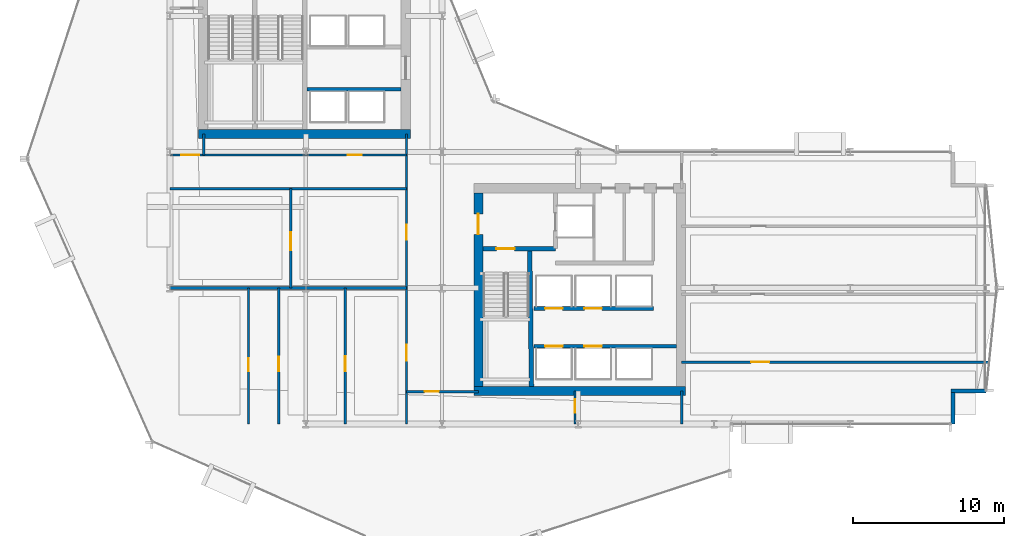
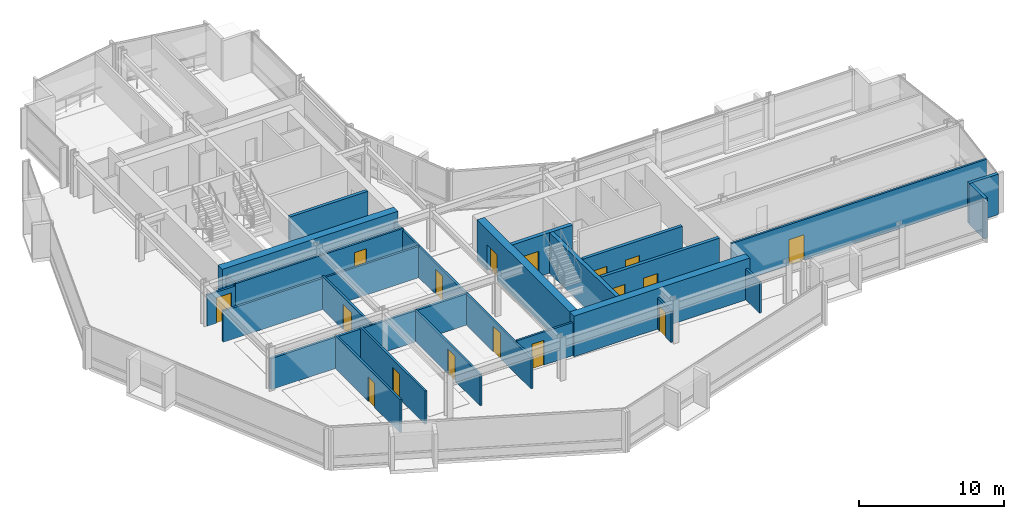
# One storey, part 27 of 34: 24 walls, 17 doors, 17 openings.
"""IFC4 building model written with IfcOpenShell, lengths in metres."""

from ifc_helpers import new_model, si_unit, direction, frame, frame_2d, origin, place, context, subcontext, project, spatial, rectangle, extrude, material, layer, layer_set, type_object, element, fill, save


model = new_model("IFC4")

# Units and contexts
model_context = context("Model", 3, precision=1e-05, world=origin(), true_north=direction((0.0, 1.0)))
body_context = subcontext(model_context, "Body", "Model", "MODEL_VIEW")
ifc_project = project(units=[si_unit("LENGTHUNIT", "METRE"), si_unit("AREAUNIT", "SQUARE_METRE"), si_unit("VOLUMEUNIT", "CUBIC_METRE"), si_unit("PLANEANGLEUNIT", "RADIAN"), si_unit("MASSUNIT", "GRAM", prefix="KILO")], contexts=[model_context])

# Site, building, storey
site_placement = place(None, origin())
site = spatial("IfcSite", under=ifc_project, at=site_placement, CompositionType="ELEMENT")
building_placement = place(site_placement, origin())
building = spatial("IfcBuilding", under=site, at=building_placement, Name="Solvaryn Broadcast Tower", CompositionType="ELEMENT")
storey_placement = place(building_placement, frame((0.0, 0.0, 50.800048828125)))
storey = spatial("IfcBuildingStorey", under=building, at=storey_placement, Name="L11", CompositionType="ELEMENT", Elevation=50.800048828125)

# Walls
ifc_material_1 = material(Name="Concrete f'c 70 MPa", Category="concrete")
ifc_layer_1 = layer(ifc_material_1, 0.60009765625)
ifc_layer_set_1 = layer_set([ifc_layer_1], Name="CW-SHEAR-600")
wall_type_1 = type_object("IfcWallType", Name="CW-SHEAR-600", PredefinedType="SHEAR", material=ifc_layer_set_1)
for number, where, z_axis, x_axis, name in (
    (1, (10.89990234375, 28.199951171875, 0.0), (0.0, 0.0, 1.0), (1.0, 0.0, 0.0), "L11 West Core South Shear Wall"),
    (2, (29.10009765625, 11.199951171875, 0.0), (0.0, 0.0, 1.0), (1.0, 0.0, 0.0), "L11 East Core South Shear Wall"),
):
    element("IfcWall", number, at=place(storey_placement, frame(where, z_axis=z_axis, x_axis=x_axis)), inside=storey, type_object=wall_type_1, Name=name, PredefinedType="SHEAR", context=body_context, shape_type="SweptSolid", body=[
        extrude(rectangle(XDim=14.0, YDim=0.60009765625, at=frame_2d((7.0, 0.0))), origin(), (0.0, 0.0, 1.0), 3.419921875),
    ])

# Wall, opening, door
wall_1_placement = place(storey_placement, frame((29.39990234375, 24.300048828125, 0.0), z_axis=(0.0, 0.0, 1.0), x_axis=(0.0, -1.0, 0.0)))
wall_1 = element("IfcWall", 3, at=wall_1_placement, inside=storey, type_object=wall_type_1, Name="L11 East Core West Shear Wall", PredefinedType="SHEAR", context=body_context, shape_type="SweptSolid", body=[
    extrude(rectangle(XDim=12.800048828125, YDim=0.60009765625, at=frame_2d((6.39990234375, 0.0))), origin(), (0.0, 0.0, 1.0), 3.419921875),
])
opening_1_placement = place(wall_1_placement, frame((1.39990234375, 0.0, 0.0)))
opening_1 = element("IfcOpeningElement", 4, at=opening_1_placement, cuts=wall_1, Name="Opening FD90B", PredefinedType="OPENING", context=body_context, shape_type="SweptSolid", body=[
    extrude(rectangle(XDim=1.35009765625, YDim=2.14990234375, at=frame_2d((0.675048828125, 1.074951171875))), frame((0.0, 0.31005859375, 0.0), z_axis=(0.0, -1.0, 0.0), x_axis=(1.0, 0.0, 0.0)), (0.0, 0.0, 1.0), 0.6201171875),
])
ifc_material_2 = material(Name="Flush Acoustic Steel and Timber Door Assembly", Category="steel")
door_type_1 = type_object("IfcDoorType", Name="FD90-LOBBY-1350X2150", OperationType="NOTDEFINED", PredefinedType="DOOR", material=ifc_material_2)
door_1_placement = place(opening_1_placement, origin())
door_1 = element("IfcDoor", 5, at=door_1_placement, inside=storey, type_object=door_type_1, Name="L11 East FSAE Lobby Door", OperationType="SINGLE_SWING_RIGHT", OverallHeight=2.14990234375, OverallWidth=1.35009765625, PredefinedType="DOOR", context=body_context, shape_type="SweptSolid", body=[
    extrude(rectangle(XDim=1.35009765625, YDim=2.14990234375, at=frame_2d((0.675048828125, 1.074951171875))), frame((0.0, 0.02490234375, 0.0), z_axis=(0.0, -1.0, 0.0), x_axis=(1.0, 0.0, 0.0)), (0.0, 0.0, 1.0), 0.050048828125),
])
fill(opening_1, door_1)

# Walls
ifc_material_3 = material(Name="Concrete f'c 50 MPa", Category="concrete")
ifc_layer_2 = layer(ifc_material_3, 0.260009765625)
ifc_layer_set_2 = layer_set([ifc_layer_2], Name="EW-PIER-260")
wall_type_2 = type_object("IfcWallType", Name="EW-PIER-260", PredefinedType="SOLIDWALL", material=ifc_layer_set_2)
wall_2_placement = place(storey_placement, frame((60.800048828125, 9.0, 0.0), z_axis=(0.0, 0.0, 1.0), x_axis=(0.0, 1.0, 0.0)))
element("IfcWall", 6, at=wall_2_placement, inside=storey, type_object=wall_type_2, Name="L11 Notched Corner Pier Wall NSE1", PredefinedType="SOLIDWALL", context=body_context, shape_type="SweptSolid", body=[
    extrude(rectangle(XDim=2.080078125, YDim=0.260009765625, at=frame_2d((1.0400390625, 0.0))), origin(), (0.0, 0.0, 1.0), 3.419921875),
])
wall_3_placement = place(storey_placement, frame((60.679931640625, 11.199951171875, 0.0), z_axis=(0.0, 0.0, 1.0), x_axis=(1.0, 0.0, 0.0)))
element("IfcWall", 7, at=wall_3_placement, inside=storey, type_object=wall_type_2, Name="L11 Notched Corner Pier Wall NSE2", PredefinedType="SOLIDWALL", context=body_context, shape_type="SweptSolid", body=[
    extrude(rectangle(XDim=2.320068359375, YDim=0.260009765625, at=frame_2d((1.16015625, 0.0))), origin(), (0.0, 0.0, 1.0), 3.419921875),
])

# Wall, opening, door
ifc_material_4 = material(Name="Metal-Stud Service Core Partition")
ifc_layer_3 = layer(ifc_material_4, 0.14990234375)
ifc_layer_set_3 = layer_set([ifc_layer_3], Name="IW-PART-150")
wall_type_3 = type_object("IfcWallType", Name="IW-PART-150", PredefinedType="PARTITIONING", material=ifc_layer_set_3)
wall_4_placement = place(storey_placement, frame((35.800048828125, 9.0, 0.0), z_axis=(0.0, 0.0, 1.0), x_axis=(0.0, 1.0, 0.0)))
wall_4 = element("IfcWall", 8, at=wall_4_placement, inside=storey, type_object=wall_type_3, Name="L11 Interior Partition IW-L11-SC-V", PredefinedType="PARTITIONING", context=body_context, shape_type="SweptSolid", body=[
    extrude(rectangle(XDim=2.199951171875, YDim=0.14990234375, at=frame_2d((1.10009765625, 0.0))), origin(), (0.0, 0.0, 1.0), 2.626953125),
])
opening_2_placement = place(wall_4_placement, frame((0.75, 0.0, 0.0)))
opening_2 = element("IfcOpeningElement", 9, at=opening_2_placement, cuts=wall_4, Name="Opening FD60C", PredefinedType="OPENING", context=body_context, shape_type="SweptSolid", body=[
    extrude(rectangle(XDim=0.89990234375, YDim=2.10009765625, at=frame_2d((0.449951171875, 1.050048828125))), frame((0.0, 0.0849609375, 0.0), z_axis=(0.0, -1.0, 0.0), x_axis=(1.0, 0.0, 0.0)), (0.0, 0.0, 1.0), 0.169921875),
])
ifc_material_5 = material(Name="Flush Acoustic Steel and Timber Door Assembly", Category="steel")
door_type_2 = type_object("IfcDoorType", Name="FD60-SERV-900X2100", OperationType="NOTDEFINED", PredefinedType="DOOR", material=ifc_material_5)
door_2_placement = place(opening_2_placement, origin())
door_2 = element("IfcDoor", 10, at=door_2_placement, inside=storey, type_object=door_type_2, Name="L11 Door DR-L11-SC1", OperationType="SINGLE_SWING_RIGHT", OverallHeight=2.10009765625, OverallWidth=0.89990234375, PredefinedType="DOOR", context=body_context, shape_type="SweptSolid", body=[
    extrude(rectangle(XDim=0.89990234375, YDim=2.10009765625, at=frame_2d((0.449951171875, 1.050048828125))), frame((0.0, 0.02490234375, 0.0), z_axis=(0.0, -1.0, 0.0), x_axis=(1.0, 0.0, 0.0)), (0.0, 0.0, 1.0), 0.050048828125),
])
fill(opening_2, door_2)

ifc_material_6 = material(Name="Metal-Stud Gypsum Office Partition")
ifc_layer_4 = layer(ifc_material_6, 0.159912109375)
ifc_layer_set_4 = layer_set([ifc_layer_4], Name="IW-PART-160")
wall_type_4 = type_object("IfcWallType", Name="IW-PART-160", PredefinedType="PARTITIONING", material=ifc_layer_set_4)
wall_5_placement = place(storey_placement, frame((9.0, 26.800048828125, 0.0), z_axis=(0.0, 0.0, 1.0), x_axis=(1.0, 0.0, 0.0)))
wall_5 = element("IfcWall", 11, at=wall_5_placement, inside=storey, type_object=wall_type_4, Name="L11 Interior Partition IW-L11-WM-S", PredefinedType="PARTITIONING", context=body_context, shape_type="SweptSolid", body=[
    extrude(rectangle(XDim=2.25, YDim=0.159912109375, at=frame_2d((1.125, 0.0))), origin(), (0.0, 0.0, 1.0), 2.626953125),
])
opening_3_placement = place(wall_5_placement, frame((0.75, 0.0, 0.0)))
opening_3 = element("IfcOpeningElement", 12, at=opening_3_placement, cuts=wall_5, Name="Opening ID04", PredefinedType="OPENING", context=body_context, shape_type="SweptSolid", body=[
    extrude(rectangle(XDim=1.199951171875, YDim=2.14990234375, at=frame_2d((0.60009765625, 1.074951171875))), frame((0.0, 0.090087890625, 0.0), z_axis=(0.0, -1.0, 0.0), x_axis=(1.0, 0.0, 0.0)), (0.0, 0.0, 1.0), 0.179931640625),
])
ifc_material_7 = material(Name="Flush Acoustic Steel and Timber Door Assembly", Category="steel")
door_type_3 = type_object("IfcDoorType", Name="ID-04-1200X2150", OperationType="NOTDEFINED", PredefinedType="DOOR", material=ifc_material_7)
door_3_placement = place(opening_3_placement, origin())
door_3 = element("IfcDoor", 13, at=door_3_placement, inside=storey, type_object=door_type_3, Name="L11 Door DR-L11-WM0", OperationType="SINGLE_SWING_LEFT", OverallHeight=2.14990234375, OverallWidth=1.199951171875, PredefinedType="DOOR", context=body_context, shape_type="SweptSolid", body=[
    extrude(rectangle(XDim=1.199951171875, YDim=2.14990234375, at=frame_2d((0.60009765625, 1.074951171875))), frame((0.0, 0.02490234375, 0.0), z_axis=(0.0, -1.0, 0.0), x_axis=(1.0, 0.0, 0.0)), (0.0, 0.0, 1.0), 0.050048828125),
])
fill(opening_3, door_3)

# Wall, openings, doors
wall_6_placement = place(storey_placement, frame((24.64990234375, 9.0, 0.0), z_axis=(0.0, 0.0, 1.0), x_axis=(0.0, 1.0, 0.0)))
wall_6 = element("IfcWall", 14, at=wall_6_placement, inside=storey, type_object=wall_type_4, Name="L11 Interior Partition IW-L11-SW-EB", PredefinedType="PARTITIONING", context=body_context, shape_type="SweptSolid", body=[
    extrude(rectangle(XDim=19.199951171875, YDim=0.159912109375, at=frame_2d((9.60009765625, 0.0))), origin(), (0.0, 0.0, 1.0), 2.626953125),
])
opening_4_placement = place(wall_6_placement, frame((12.199951171875, 0.0, 0.0)))
opening_4 = element("IfcOpeningElement", 15, at=opening_4_placement, cuts=wall_6, Name="Opening ID02", PredefinedType="OPENING", context=body_context, shape_type="SweptSolid", body=[
    extrude(rectangle(XDim=1.0, YDim=2.10009765625, at=frame_2d((0.5, 1.050048828125))), frame((0.0, 0.090087890625, 0.0), z_axis=(0.0, -1.0, 0.0), x_axis=(1.0, 0.0, 0.0)), (0.0, 0.0, 1.0), 0.179931640625),
])
opening_5_placement = place(wall_6_placement, frame((4.199951171875, 0.0, 0.0)))
opening_5 = element("IfcOpeningElement", 16, at=opening_5_placement, cuts=wall_6, Name="Opening ID03", PredefinedType="OPENING", context=body_context, shape_type="SweptSolid", body=[
    extrude(rectangle(XDim=1.050048828125, YDim=2.14990234375, at=frame_2d((0.52490234375, 1.074951171875))), frame((0.0, 0.090087890625, 0.0), z_axis=(0.0, -1.0, 0.0), x_axis=(1.0, 0.0, 0.0)), (0.0, 0.0, 1.0), 0.179931640625),
])
ifc_material_8 = material(Name="Flush Acoustic Steel and Timber Door Assembly", Category="steel")
door_type_4 = type_object("IfcDoorType", Name="ID-02-1000X2100", OperationType="NOTDEFINED", PredefinedType="DOOR", material=ifc_material_8)
door_4_placement = place(opening_4_placement, origin())
door_4 = element("IfcDoor", 17, at=door_4_placement, inside=storey, type_object=door_type_4, Name="L11 Door DR-L11-SW-EN", OperationType="SINGLE_SWING_RIGHT", OverallHeight=2.10009765625, OverallWidth=1.0, PredefinedType="DOOR", context=body_context, shape_type="SweptSolid", body=[
    extrude(rectangle(XDim=1.0, YDim=2.10009765625, at=frame_2d((0.5, 1.050048828125))), frame((0.0, 0.02490234375, 0.0), z_axis=(0.0, -1.0, 0.0), x_axis=(1.0, 0.0, 0.0)), (0.0, 0.0, 1.0), 0.050048828125),
])
fill(opening_4, door_4)
ifc_material_9 = material(Name="Flush Acoustic Steel and Timber Door Assembly", Category="steel")
door_type_5 = type_object("IfcDoorType", Name="ID-03-1050X2150", OperationType="NOTDEFINED", PredefinedType="DOOR", material=ifc_material_9)
door_5_placement = place(opening_5_placement, origin())
door_5 = element("IfcDoor", 18, at=door_5_placement, inside=storey, type_object=door_type_5, Name="L11 Door DR-L11-SW-ES", OperationType="SINGLE_SWING_LEFT", OverallHeight=2.14990234375, OverallWidth=1.050048828125, PredefinedType="DOOR", context=body_context, shape_type="SweptSolid", body=[
    extrude(rectangle(XDim=1.050048828125, YDim=2.14990234375, at=frame_2d((0.52490234375, 1.074951171875))), frame((0.0, 0.02490234375, 0.0), z_axis=(0.0, -1.0, 0.0), x_axis=(1.0, 0.0, 0.0)), (0.0, 0.0, 1.0), 0.050048828125),
])
fill(opening_5, door_5)

# Wall
wall_7_placement = place(storey_placement, frame((9.0, 24.580078125, 0.0), z_axis=(0.0, 0.0, 1.0), x_axis=(1.0, 0.0, 0.0)))
element("IfcWall", 19, at=wall_7_placement, inside=storey, type_object=wall_type_4, Name="L11 Interior Partition IW-L11-SW-NB", PredefinedType="PARTITIONING", context=body_context, shape_type="SweptSolid", body=[
    extrude(rectangle(XDim=15.64990234375, YDim=0.159912109375, at=frame_2d((7.824951171875, 0.0))), origin(), (0.0, 0.0, 1.0), 2.626953125),
])

# Wall, opening, door
wall_8_placement = place(storey_placement, frame((11.25, 26.800048828125, 0.0), z_axis=(0.0, 0.0, 1.0), x_axis=(1.0, 0.0, 0.0)))
wall_8 = element("IfcWall", 20, at=wall_8_placement, inside=storey, type_object=wall_type_4, Name="L11 Interior Partition IW-L11-SW-N2", PredefinedType="PARTITIONING", context=body_context, shape_type="SweptSolid", body=[
    extrude(rectangle(XDim=13.39990234375, YDim=0.159912109375, at=frame_2d((6.699951171875, 0.0))), origin(), (0.0, 0.0, 1.0), 2.7890625),
])
opening_6_placement = place(wall_8_placement, frame((9.5, 0.0, 0.0)))
opening_6 = element("IfcOpeningElement", 21, at=opening_6_placement, cuts=wall_8, Name="Opening ID01", PredefinedType="OPENING", context=body_context, shape_type="SweptSolid", body=[
    extrude(rectangle(XDim=0.949951171875, YDim=2.10009765625, at=frame_2d((0.47509765625, 1.050048828125))), frame((0.0, 0.090087890625, 0.0), z_axis=(0.0, -1.0, 0.0), x_axis=(1.0, 0.0, 0.0)), (0.0, 0.0, 1.0), 0.179931640625),
])
ifc_material_10 = material(Name="Flush Acoustic Steel and Timber Door Assembly", Category="steel")
door_type_6 = type_object("IfcDoorType", Name="ID-01-950X2100", OperationType="NOTDEFINED", PredefinedType="DOOR", material=ifc_material_10)
door_6_placement = place(opening_6_placement, origin())
door_6 = element("IfcDoor", 22, at=door_6_placement, inside=storey, type_object=door_type_6, Name="L11 Door DR-L11-SW-ALC", OperationType="SINGLE_SWING_LEFT", OverallHeight=2.10009765625, OverallWidth=0.949951171875, PredefinedType="DOOR", context=body_context, shape_type="SweptSolid", body=[
    extrude(rectangle(XDim=0.949951171875, YDim=2.10009765625, at=frame_2d((0.47509765625, 1.050048828125))), frame((0.0, 0.02490234375, 0.0), z_axis=(0.0, -1.0, 0.0), x_axis=(1.0, 0.0, 0.0)), (0.0, 0.0, 1.0), 0.050048828125),
])
fill(opening_6, door_6)

# Wall
wall_9_placement = place(storey_placement, frame((11.25, 26.800048828125, 0.0), z_axis=(0.0, 0.0, 1.0), x_axis=(0.0, 1.0, 0.0)))
element("IfcWall", 23, at=wall_9_placement, inside=storey, type_object=wall_type_4, Name="L11 Interior Partition IW-L11-SW-ALW", PredefinedType="PARTITIONING", context=body_context, shape_type="SweptSolid", body=[
    extrude(rectangle(XDim=1.39990234375, YDim=0.159912109375, at=frame_2d((0.699951171875, 0.0))), origin(), (0.0, 0.0, 1.0), 2.7890625),
])

# Wall, opening, door
wall_10_placement = place(storey_placement, frame((17.0, 18.0, 0.0), z_axis=(0.0, 0.0, 1.0), x_axis=(0.0, 1.0, 0.0)))
wall_10 = element("IfcWall", 24, at=wall_10_placement, inside=storey, type_object=wall_type_4, Name="L11 Interior Partition IW-L11-SWN-V1", PredefinedType="PARTITIONING", context=body_context, shape_type="SweptSolid", body=[
    extrude(rectangle(XDim=6.580078125, YDim=0.159912109375, at=frame_2d((3.2900390625, 0.0))), origin(), (0.0, 0.0, 1.0), 2.7890625),
])
opening_7_placement = place(wall_10_placement, frame((2.5, 0.0, 0.0)))
opening_7 = element("IfcOpeningElement", 25, at=opening_7_placement, cuts=wall_10, Name="Opening ID04", PredefinedType="OPENING", context=body_context, shape_type="SweptSolid", body=[
    extrude(rectangle(XDim=1.199951171875, YDim=2.14990234375, at=frame_2d((0.60009765625, 1.074951171875))), frame((0.0, 0.090087890625, 0.0), z_axis=(0.0, -1.0, 0.0), x_axis=(1.0, 0.0, 0.0)), (0.0, 0.0, 1.0), 0.179931640625),
])
door_7_placement = place(opening_7_placement, origin())
door_7 = element("IfcDoor", 26, at=door_7_placement, inside=storey, type_object=door_type_3, Name="L11 Door DR-L11-SWN-1", OperationType="SINGLE_SWING_RIGHT", OverallHeight=2.14990234375, OverallWidth=1.199951171875, PredefinedType="DOOR", context=body_context, shape_type="SweptSolid", body=[
    extrude(rectangle(XDim=1.199951171875, YDim=2.14990234375, at=frame_2d((0.60009765625, 1.074951171875))), frame((0.0, 0.02490234375, 0.0), z_axis=(0.0, -1.0, 0.0), x_axis=(1.0, 0.0, 0.0)), (0.0, 0.0, 1.0), 0.050048828125),
])
fill(opening_7, door_7)

wall_11_placement = place(storey_placement, frame((14.199951171875, 9.0, 0.0), z_axis=(0.0, 0.0, 1.0), x_axis=(0.0, 1.0, 0.0)))
wall_11 = element("IfcWall", 27, at=wall_11_placement, inside=storey, type_object=wall_type_4, Name="L11 Interior Partition IW-L11-SWS-V1", PredefinedType="PARTITIONING", context=body_context, shape_type="SweptSolid", body=[
    extrude(rectangle(XDim=9.0, YDim=0.159912109375, at=frame_2d((4.5, 0.0))), origin(), (0.0, 0.0, 1.0), 2.7890625),
])
opening_8_placement = place(wall_11_placement, frame((3.5, 0.0, 0.0)))
opening_8 = element("IfcOpeningElement", 28, at=opening_8_placement, cuts=wall_11, Name="Opening ID07", PredefinedType="OPENING", context=body_context, shape_type="SweptSolid", body=[
    extrude(rectangle(XDim=0.860107421875, YDim=2.050048828125, at=frame_2d((0.43017578125, 1.02490234375))), frame((0.0, 0.090087890625, 0.0), z_axis=(0.0, -1.0, 0.0), x_axis=(1.0, 0.0, 0.0)), (0.0, 0.0, 1.0), 0.179931640625),
])
ifc_material_11 = material(Name="Flush Acoustic Steel and Timber Door Assembly", Category="steel")
door_type_7 = type_object("IfcDoorType", Name="ID-07-860X2050", OperationType="NOTDEFINED", PredefinedType="DOOR", material=ifc_material_11)
door_8_placement = place(opening_8_placement, origin())
door_8 = element("IfcDoor", 29, at=door_8_placement, inside=storey, type_object=door_type_7, Name="L11 Door DR-L11-SWS-1", OperationType="SINGLE_SWING_LEFT", OverallHeight=2.050048828125, OverallWidth=0.860107421875, PredefinedType="DOOR", context=body_context, shape_type="SweptSolid", body=[
    extrude(rectangle(XDim=0.860107421875, YDim=2.050048828125, at=frame_2d((0.43017578125, 1.02490234375))), frame((0.0, 0.02490234375, 0.0), z_axis=(0.0, -1.0, 0.0), x_axis=(1.0, 0.0, 0.0)), (0.0, 0.0, 1.0), 0.050048828125),
])
fill(opening_8, door_8)

wall_12_placement = place(storey_placement, frame((16.199951171875, 9.0, 0.0), z_axis=(0.0, 0.0, 1.0), x_axis=(0.0, 1.0, 0.0)))
wall_12 = element("IfcWall", 30, at=wall_12_placement, inside=storey, type_object=wall_type_4, Name="L11 Interior Partition IW-L11-SWS-V2", PredefinedType="PARTITIONING", context=body_context, shape_type="SweptSolid", body=[
    extrude(rectangle(XDim=9.0, YDim=0.159912109375, at=frame_2d((4.5, 0.0))), origin(), (0.0, 0.0, 1.0), 2.7890625),
])
opening_9_placement = place(wall_12_placement, frame((3.5, 0.0, 0.0)))
opening_9 = element("IfcOpeningElement", 31, at=opening_9_placement, cuts=wall_12, Name="Opening ID01", PredefinedType="OPENING", context=body_context, shape_type="SweptSolid", body=[
    extrude(rectangle(XDim=0.949951171875, YDim=2.10009765625, at=frame_2d((0.47509765625, 1.050048828125))), frame((0.0, 0.090087890625, 0.0), z_axis=(0.0, -1.0, 0.0), x_axis=(1.0, 0.0, 0.0)), (0.0, 0.0, 1.0), 0.179931640625),
])
door_9_placement = place(opening_9_placement, origin())
door_9 = element("IfcDoor", 32, at=door_9_placement, inside=storey, type_object=door_type_6, Name="L11 Door DR-L11-SWS-2", OperationType="SINGLE_SWING_RIGHT", OverallHeight=2.10009765625, OverallWidth=0.949951171875, PredefinedType="DOOR", context=body_context, shape_type="SweptSolid", body=[
    extrude(rectangle(XDim=0.949951171875, YDim=2.10009765625, at=frame_2d((0.47509765625, 1.050048828125))), frame((0.0, 0.02490234375, 0.0), z_axis=(0.0, -1.0, 0.0), x_axis=(1.0, 0.0, 0.0)), (0.0, 0.0, 1.0), 0.050048828125),
])
fill(opening_9, door_9)

wall_13_placement = place(storey_placement, frame((20.60009765625, 9.0, 0.0), z_axis=(0.0, 0.0, 1.0), x_axis=(0.0, 1.0, 0.0)))
wall_13 = element("IfcWall", 33, at=wall_13_placement, inside=storey, type_object=wall_type_4, Name="L11 Interior Partition IW-L11-SWS-V3", PredefinedType="PARTITIONING", context=body_context, shape_type="SweptSolid", body=[
    extrude(rectangle(XDim=9.0, YDim=0.159912109375, at=frame_2d((4.5, 0.0))), origin(), (0.0, 0.0, 1.0), 2.626953125),
])
opening_10_placement = place(wall_13_placement, frame((3.5, 0.0, 0.0)))
opening_10 = element("IfcOpeningElement", 34, at=opening_10_placement, cuts=wall_13, Name="Opening ID02", PredefinedType="OPENING", context=body_context, shape_type="SweptSolid", body=[
    extrude(rectangle(XDim=1.0, YDim=2.10009765625, at=frame_2d((0.5, 1.050048828125))), frame((0.0, 0.090087890625, 0.0), z_axis=(0.0, -1.0, 0.0), x_axis=(1.0, 0.0, 0.0)), (0.0, 0.0, 1.0), 0.179931640625),
])
door_10_placement = place(opening_10_placement, origin())
door_10 = element("IfcDoor", 35, at=door_10_placement, inside=storey, type_object=door_type_4, Name="L11 Door DR-L11-SWS-3", OperationType="SINGLE_SWING_LEFT", OverallHeight=2.10009765625, OverallWidth=1.0, PredefinedType="DOOR", context=body_context, shape_type="SweptSolid", body=[
    extrude(rectangle(XDim=1.0, YDim=2.10009765625, at=frame_2d((0.5, 1.050048828125))), frame((0.0, 0.02490234375, 0.0), z_axis=(0.0, -1.0, 0.0), x_axis=(1.0, 0.0, 0.0)), (0.0, 0.0, 1.0), 0.050048828125),
])
fill(opening_10, door_10)

wall_14_placement = place(storey_placement, frame((24.64990234375, 11.14990234375, 0.0), z_axis=(0.0, 0.0, 1.0), x_axis=(1.0, 0.0, 0.0)))
wall_14 = element("IfcWall", 36, at=wall_14_placement, inside=storey, type_object=wall_type_4, Name="L11 Interior Partition IW-L11-SC-N", PredefinedType="PARTITIONING", context=body_context, shape_type="SweptSolid", body=[
    extrude(rectangle(XDim=4.75, YDim=0.159912109375, at=frame_2d((2.375, 0.0))), origin(), (0.0, 0.0, 1.0), 2.7919921875),
])
opening_11_placement = place(wall_14_placement, frame((1.199951171875, 0.0, 0.0)))
opening_11 = element("IfcOpeningElement", 37, at=opening_11_placement, cuts=wall_14, Name="Opening ID01", PredefinedType="OPENING", context=body_context, shape_type="SweptSolid", body=[
    extrude(rectangle(XDim=0.949951171875, YDim=2.10009765625, at=frame_2d((0.47509765625, 1.050048828125))), frame((0.0, 0.090087890625, 0.0), z_axis=(0.0, -1.0, 0.0), x_axis=(1.0, 0.0, 0.0)), (0.0, 0.0, 1.0), 0.179931640625),
])
door_11_placement = place(opening_11_placement, origin())
door_11 = element("IfcDoor", 38, at=door_11_placement, inside=storey, type_object=door_type_6, Name="L11 Door DR-L11-SC0", OperationType="SINGLE_SWING_LEFT", OverallHeight=2.10009765625, OverallWidth=0.949951171875, PredefinedType="DOOR", context=body_context, shape_type="SweptSolid", body=[
    extrude(rectangle(XDim=0.949951171875, YDim=2.10009765625, at=frame_2d((0.47509765625, 1.050048828125))), frame((0.0, 0.02490234375, 0.0), z_axis=(0.0, -1.0, 0.0), x_axis=(1.0, 0.0, 0.0)), (0.0, 0.0, 1.0), 0.050048828125),
])
fill(opening_11, door_11)

# Wall
wall_15_placement = place(storey_placement, frame((42.85009765625, 9.0, 0.0), z_axis=(0.0, 0.0, 1.0), x_axis=(0.0, 1.0, 0.0)))
element("IfcWall", 39, at=wall_15_placement, inside=storey, type_object=wall_type_4, Name="L11 Interior Partition IW-L11-SC-E", PredefinedType="PARTITIONING", context=body_context, shape_type="SweptSolid", body=[
    extrude(rectangle(XDim=2.199951171875, YDim=0.159912109375, at=frame_2d((1.10009765625, 0.0))), origin(), (0.0, 0.0, 1.0), 2.626953125),
])

# Wall, opening, door
wall_16_placement = place(storey_placement, frame((42.85009765625, 13.10009765625, 0.0), z_axis=(0.0, 0.0, 1.0), x_axis=(1.0, 0.0, 0.0)))
wall_16 = element("IfcWall", 40, at=wall_16_placement, inside=storey, type_object=wall_type_4, Name="L11 Interior Partition IW-L11-EW-H1", PredefinedType="PARTITIONING", context=body_context, shape_type="SweptSolid", body=[
    extrude(rectangle(XDim=20.345947265625, YDim=0.159912109375, at=frame_2d((10.1728515625, 0.0))), origin(), (0.0, 0.0, 1.0), 3.419921875),
])
opening_12_placement = place(wall_16_placement, frame((4.60009765625, 0.0, 0.0)))
opening_12 = element("IfcOpeningElement", 41, at=opening_12_placement, cuts=wall_16, Name="Opening ID04", PredefinedType="OPENING", context=body_context, shape_type="SweptSolid", body=[
    extrude(rectangle(XDim=1.199951171875, YDim=2.14990234375, at=frame_2d((0.60009765625, 1.074951171875))), frame((0.0, 0.090087890625, 0.0), z_axis=(0.0, -1.0, 0.0), x_axis=(1.0, 0.0, 0.0)), (0.0, 0.0, 1.0), 0.179931640625),
])
door_12_placement = place(opening_12_placement, origin())
door_12 = element("IfcDoor", 42, at=door_12_placement, inside=storey, type_object=door_type_3, Name="L11 Door DR-L11-EW-1", OperationType="SINGLE_SWING_RIGHT", OverallHeight=2.14990234375, OverallWidth=1.199951171875, PredefinedType="DOOR", context=body_context, shape_type="SweptSolid", body=[
    extrude(rectangle(XDim=1.199951171875, YDim=2.14990234375, at=frame_2d((0.60009765625, 1.074951171875))), frame((0.0, 0.02490234375, 0.0), z_axis=(0.0, -1.0, 0.0), x_axis=(1.0, 0.0, 0.0)), (0.0, 0.0, 1.0), 0.050048828125),
])
fill(opening_12, door_12)

# Walls
ifc_material_12 = material(Name="Acoustic Metal-Stud Gypsum Partition")
ifc_layer_5 = layer(ifc_material_12, 0.179931640625)
ifc_layer_set_5 = layer_set([ifc_layer_5], Name="IW-PART-180")
wall_type_5 = type_object("IfcWallType", Name="IW-PART-180", PredefinedType="PARTITIONING", material=ifc_layer_set_5)
wall_17_placement = place(storey_placement, frame((9.0, 18.0, 0.0), z_axis=(0.0, 0.0, 1.0), x_axis=(1.0, 0.0, 0.0)))
element("IfcWall", 43, at=wall_17_placement, inside=storey, type_object=wall_type_5, Name="L11 Interior Partition IW-L11-SW-HY", PredefinedType="PARTITIONING", context=body_context, shape_type="SweptSolid", body=[
    extrude(rectangle(XDim=15.64990234375, YDim=0.179931640625, at=frame_2d((7.824951171875, 0.0))), origin(), (0.0, 0.0, 1.0), 2.626953125),
])
ifc_material_13 = material(Name="Concrete f'c 60 MPa", Category="concrete")
ifc_layer_6 = layer(ifc_material_13, 0.25)
ifc_layer_set_6 = layer_set([ifc_layer_6], Name="SW-SHAFT-250")
wall_type_6 = type_object("IfcWallType", Name="SW-SHAFT-250", PredefinedType="PARTITIONING", material=ifc_layer_set_6)
wall_18_placement = place(storey_placement, frame((18.070068359375, 31.14990234375, 0.0), z_axis=(0.0, 0.0, 1.0), x_axis=(1.0, 0.0, 0.0)))
element("IfcWall", 44, at=wall_18_placement, inside=storey, type_object=wall_type_6, Name="L11 High-Rise Lift Bank South Wall", PredefinedType="PARTITIONING", context=body_context, shape_type="SweptSolid", body=[
    extrude(rectangle(XDim=6.22998046875, YDim=0.25, at=frame_2d((3.114990234375, 0.0))), origin(), (0.0, 0.0, 1.0), 3.419921875),
])

# Wall, openings, doors
wall_19_placement = place(storey_placement, frame((33.070068359375, 14.14990234375, 0.0), z_axis=(0.0, 0.0, 1.0), x_axis=(1.0, 0.0, 0.0)))
wall_19 = element("IfcWall", 45, at=wall_19_placement, inside=storey, type_object=wall_type_6, Name="L11 East Lift Bank South Wall", PredefinedType="PARTITIONING", context=body_context, shape_type="SweptSolid", body=[
    extrude(rectangle(XDim=9.429931640625, YDim=0.25, at=frame_2d((4.71484375, 0.0))), origin(), (0.0, 0.0, 1.0), 3.419921875),
])
opening_13_placement = place(wall_19_placement, frame((0.7548828125, 0.0, 0.0)))
opening_13 = element("IfcOpeningElement", 46, at=opening_13_placement, cuts=wall_19, Name="Opening LD01", PredefinedType="OPENING", context=body_context, shape_type="SweptSolid", body=[
    extrude(rectangle(XDim=1.14990234375, YDim=2.14990234375, at=frame_2d((0.574951171875, 1.074951171875))), frame((0.0, 0.135009765625, 0.0), z_axis=(0.0, -1.0, 0.0), x_axis=(1.0, 0.0, 0.0)), (0.0, 0.0, 1.0), 0.27001953125),
])
opening_14_placement = place(wall_19_placement, frame((3.35498046875, 0.0, 0.0)))
opening_14 = element("IfcOpeningElement", 47, at=opening_14_placement, cuts=wall_19, Name="Opening LD01", PredefinedType="OPENING", context=body_context, shape_type="SweptSolid", body=[
    extrude(rectangle(XDim=1.14990234375, YDim=2.14990234375, at=frame_2d((0.574951171875, 1.074951171875))), frame((0.0, 0.135009765625, 0.0), z_axis=(0.0, -1.0, 0.0), x_axis=(1.0, 0.0, 0.0)), (0.0, 0.0, 1.0), 0.27001953125),
])
ifc_material_14 = material(Name="Flush Acoustic Steel and Timber Door Assembly", Category="steel")
door_type_8 = type_object("IfcDoorType", Name="LD-LIFT-1150X2150", OperationType="NOTDEFINED", PredefinedType="DOOR", material=ifc_material_14)
door_13_placement = place(opening_13_placement, origin())
door_13 = element("IfcDoor", 48, at=door_13_placement, inside=storey, type_object=door_type_8, Name="L11 PL1 Lift Landing Door", OperationType="DOUBLE_DOOR_SLIDING", OverallHeight=2.14990234375, OverallWidth=1.14990234375, PredefinedType="DOOR", context=body_context, shape_type="SweptSolid", body=[
    extrude(rectangle(XDim=1.14990234375, YDim=2.14990234375, at=frame_2d((0.574951171875, 1.074951171875))), frame((0.0, 0.02490234375, 0.0), z_axis=(0.0, -1.0, 0.0), x_axis=(1.0, 0.0, 0.0)), (0.0, 0.0, 1.0), 0.050048828125),
])
fill(opening_13, door_13)
door_14_placement = place(opening_14_placement, origin())
door_14 = element("IfcDoor", 49, at=door_14_placement, inside=storey, type_object=door_type_8, Name="L11 PL2 Lift Landing Door", OperationType="DOUBLE_DOOR_SLIDING", OverallHeight=2.14990234375, OverallWidth=1.14990234375, PredefinedType="DOOR", context=body_context, shape_type="SweptSolid", body=[
    extrude(rectangle(XDim=1.14990234375, YDim=2.14990234375, at=frame_2d((0.574951171875, 1.074951171875))), frame((0.0, 0.02490234375, 0.0), z_axis=(0.0, -1.0, 0.0), x_axis=(1.0, 0.0, 0.0)), (0.0, 0.0, 1.0), 0.050048828125),
])
fill(opening_14, door_14)

wall_20_placement = place(storey_placement, frame((40.97998046875, 16.64990234375, 0.0), z_axis=(0.0, 0.0, 1.0), x_axis=(-1.0, 0.0, 0.0)))
wall_20 = element("IfcWall", 50, at=wall_20_placement, inside=storey, type_object=wall_type_6, Name="L11 East Lift Bank North Wall", PredefinedType="PARTITIONING", context=body_context, shape_type="SweptSolid", body=[
    extrude(rectangle(XDim=7.909912109375, YDim=0.25, at=frame_2d((3.955078125, 0.0))), origin(), (0.0, 0.0, 1.0), 3.419921875),
])
opening_15_placement = place(wall_20_placement, frame((6.0048828125, 0.0, 0.0)))
opening_15 = element("IfcOpeningElement", 51, at=opening_15_placement, cuts=wall_20, Name="Opening LD01", PredefinedType="OPENING", context=body_context, shape_type="SweptSolid", body=[
    extrude(rectangle(XDim=1.14990234375, YDim=2.14990234375, at=frame_2d((0.574951171875, 1.074951171875))), frame((0.0, 0.135009765625, 0.0), z_axis=(0.0, -1.0, 0.0), x_axis=(1.0, 0.0, 0.0)), (0.0, 0.0, 1.0), 0.27001953125),
])
opening_16_placement = place(wall_20_placement, frame((3.405029296875, 0.0, 0.0)))
opening_16 = element("IfcOpeningElement", 52, at=opening_16_placement, cuts=wall_20, Name="Opening LD01", PredefinedType="OPENING", context=body_context, shape_type="SweptSolid", body=[
    extrude(rectangle(XDim=1.14990234375, YDim=2.14990234375, at=frame_2d((0.574951171875, 1.074951171875))), frame((0.0, 0.135009765625, 0.0), z_axis=(0.0, -1.0, 0.0), x_axis=(1.0, 0.0, 0.0)), (0.0, 0.0, 1.0), 0.27001953125),
])
door_15_placement = place(opening_15_placement, origin())
door_15 = element("IfcDoor", 53, at=door_15_placement, inside=storey, type_object=door_type_8, Name="L11 PL3 Lift Landing Door", OperationType="DOUBLE_DOOR_SLIDING", OverallHeight=2.14990234375, OverallWidth=1.14990234375, PredefinedType="DOOR", context=body_context, shape_type="SweptSolid", body=[
    extrude(rectangle(XDim=1.14990234375, YDim=2.14990234375, at=frame_2d((0.574951171875, 1.074951171875))), frame((0.0, 0.02490234375, 0.0), z_axis=(0.0, -1.0, 0.0), x_axis=(1.0, 0.0, 0.0)), (0.0, 0.0, 1.0), 0.050048828125),
])
fill(opening_15, door_15)
door_16_placement = place(opening_16_placement, origin())
door_16 = element("IfcDoor", 54, at=door_16_placement, inside=storey, type_object=door_type_8, Name="L11 PL4 Lift Landing Door", OperationType="DOUBLE_DOOR_SLIDING", OverallHeight=2.14990234375, OverallWidth=1.14990234375, PredefinedType="DOOR", context=body_context, shape_type="SweptSolid", body=[
    extrude(rectangle(XDim=1.14990234375, YDim=2.14990234375, at=frame_2d((0.574951171875, 1.074951171875))), frame((0.0, 0.02490234375, 0.0), z_axis=(0.0, -1.0, 0.0), x_axis=(1.0, 0.0, 0.0)), (0.0, 0.0, 1.0), 0.050048828125),
])
fill(opening_16, door_16)

# Wall
ifc_material_15 = material(Name="Concrete f'c 70 MPa", Category="concrete")
ifc_layer_7 = layer(ifc_material_15, 0.300048828125)
ifc_layer_set_7 = layer_set([ifc_layer_7], Name="SW-SHAFT-300")
wall_type_7 = type_object("IfcWallType", Name="SW-SHAFT-300", PredefinedType="SHEAR", material=ifc_layer_set_7)
wall_21_placement = place(storey_placement, frame((32.919921875, 11.5, 0.0), z_axis=(0.0, 0.0, 1.0), x_axis=(-0.013244407292, 0.999912288991, 0.0)))
element("IfcWall", 55, at=wall_21_placement, inside=storey, type_object=wall_type_7, Name="L11 Stair 3 East Shear Wall", PredefinedType="SHEAR", context=body_context, shape_type="SweptSolid", body=[
    extrude(rectangle(XDim=9.05078125, YDim=0.300048828125, at=frame_2d((4.525390625, 0.0))), origin(), (0.0, 0.0, 1.0), 3.419921875),
])

# Wall, opening, door
wall_22_placement = place(storey_placement, frame((34.5, 20.60009765625, 0.0), z_axis=(0.0, 0.0, 1.0), x_axis=(-1.0, 0.0, 0.0)))
wall_22 = element("IfcWall", 56, at=wall_22_placement, inside=storey, type_object=wall_type_7, Name="L11 East FSAE Lobby South Wall", PredefinedType="SHEAR", context=body_context, shape_type="SweptSolid", body=[
    extrude(rectangle(XDim=4.800048828125, YDim=0.300048828125, at=frame_2d((2.39990234375, 0.0))), origin(), (0.0, 0.0, 1.0), 3.419921875),
])
opening_17_placement = place(wall_22_placement, frame((2.699951171875, 0.0, 0.0)))
opening_17 = element("IfcOpeningElement", 57, at=opening_17_placement, cuts=wall_22, Name="Opening FD90A", PredefinedType="OPENING", context=body_context, shape_type="SweptSolid", body=[
    extrude(rectangle(XDim=1.199951171875, YDim=2.14990234375, at=frame_2d((0.60009765625, 1.074951171875))), frame((0.0, 0.159912109375, 0.0), z_axis=(0.0, -1.0, 0.0), x_axis=(1.0, 0.0, 0.0)), (0.0, 0.0, 1.0), 0.320068359375),
])
ifc_material_16 = material(Name="Flush Acoustic Steel and Timber Door Assembly", Category="steel")
door_type_9 = type_object("IfcDoorType", Name="FD90-STAIR-1200X2150", OperationType="NOTDEFINED", PredefinedType="DOOR", material=ifc_material_16)
door_17_placement = place(opening_17_placement, origin())
door_17 = element("IfcDoor", 58, at=door_17_placement, inside=storey, type_object=door_type_9, Name="L11 Stair 3 Fire Door", OperationType="SINGLE_SWING_LEFT", OverallHeight=2.14990234375, OverallWidth=1.199951171875, PredefinedType="DOOR", context=body_context, shape_type="SweptSolid", body=[
    extrude(rectangle(XDim=1.199951171875, YDim=2.14990234375, at=frame_2d((0.60009765625, 1.074951171875))), frame((0.0, 0.02490234375, 0.0), z_axis=(0.0, -1.0, 0.0), x_axis=(1.0, 0.0, 0.0)), (0.0, 0.0, 1.0), 0.050048828125),
])
fill(opening_17, door_17)

save(model, "model.ifc")
